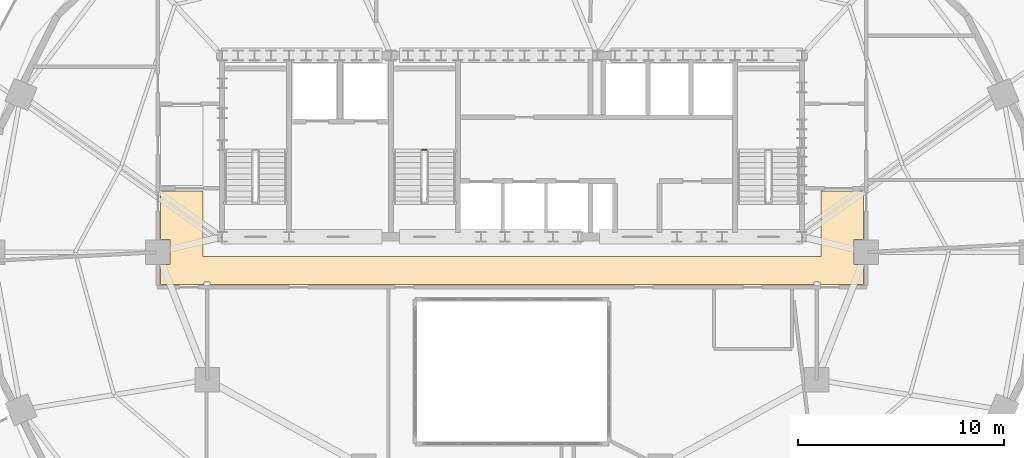
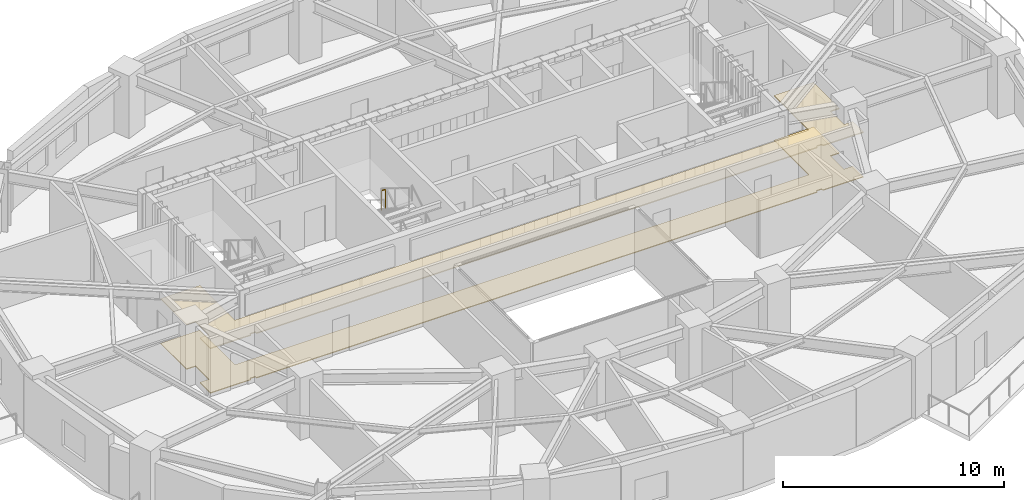
# One storey, part 10 of 11: 2 coverings, 1 railing.
"""IFC4 building model written with IfcOpenShell, lengths in metres."""

from ifc_helpers import new_model, si_unit, direction, frame, origin, origin_2d, place, context, subcontext, project, spatial, polyline, rectangle, outline, extrude, material, layer, layer_set, type_object, element, save


model = new_model("IFC4")

# Units and contexts
model_context = context("Model", 3, precision=1e-05, world=origin(), true_north=direction((0.0, 1.0)))
body_context = subcontext(model_context, "Body", "Model", "MODEL_VIEW")
ifc_project = project(units=[si_unit("LENGTHUNIT", "METRE"), si_unit("AREAUNIT", "SQUARE_METRE"), si_unit("VOLUMEUNIT", "CUBIC_METRE"), si_unit("PLANEANGLEUNIT", "RADIAN"), si_unit("MASSUNIT", "GRAM", prefix="KILO")], contexts=[model_context])

# Site, building, storey
site_placement = place(None, origin())
site = spatial("IfcSite", under=ifc_project, at=site_placement, CompositionType="ELEMENT")
building_placement = place(site_placement, origin())
building = spatial("IfcBuilding", under=site, at=building_placement, Name="Haldorwick Loom Tower", CompositionType="ELEMENT")
storey_placement = place(building_placement, frame((0.0, 0.0, 164.800048828125)))
storey = spatial("IfcBuildingStorey", under=building, at=storey_placement, Name="L44", CompositionType="ELEMENT", Elevation=164.800048828125)

# Coverings
ifc_material_1 = material(Name="Mineral Fibre Acoustic Ceiling Tile")
ifc_layer_1 = layer(ifc_material_1, 0.054931640625, Name="Mineral Fibre Acoustic Ceiling Tile")
ifc_layer_set_1 = layer_set([ifc_layer_1], Name="Mineral Fibre Acoustic Ceiling Tile")
covering_type_1 = type_object("IfcCoveringType", Name="ARC-COV-CEIL2", PredefinedType="CEILING", material=ifc_layer_set_1)
covering_1_placement = place(storey_placement, frame((0.0, 0.0, 2.4580078125)))
element("IfcCovering", 1, at=covering_1_placement, inside=storey, type_object=covering_type_1, Name="L44 Acoustic Suspended Ceiling 1", PredefinedType="CEILING", context=body_context, shape_type="SweptSolid", body=[
    extrude(outline(polyline([(51.0, 28.9599609375), (51.0, 25.800048828125), (21.0, 25.800048828125), (21.0, 28.9599609375), (18.93994140625, 28.9599609375), (18.93994140625, 26.60791015625), (19.407958984375, 26.60791015625), (19.407958984375, 25.39208984375), (18.93994140625, 25.39208984375), (18.93994140625, 24.43994140625), (21.06005859375, 24.43994140625), (21.06005859375, 24.52001953125), (21.06005859375, 24.52197265625), (21.060302734375, 24.52392578125), (21.060791015625, 24.52587890625), (21.0615234375, 24.527587890625), (21.0625, 24.529296875), (21.0634765625, 24.531005859375), (21.064453125, 24.53271484375), (21.06591796875, 24.5341796875), (21.0673828125, 24.535400390625), (21.06884765625, 24.53662109375), (21.070556640625, 24.53759765625), (21.072265625, 24.53857421875), (21.07421875, 24.5390625), (21.076171875, 24.53955078125), (21.077880859375, 24.539794921875), (21.080078125, 24.5400390625), (21.320068359375, 24.5400390625), (21.322021484375, 24.539794921875), (21.323974609375, 24.53955078125), (21.32568359375, 24.5390625), (21.32763671875, 24.53857421875), (21.329345703125, 24.53759765625), (21.3310546875, 24.53662109375), (21.332763671875, 24.535400390625), (21.333984375, 24.5341796875), (21.33544921875, 24.53271484375), (21.336669921875, 24.531005859375), (21.337646484375, 24.529296875), (21.33837890625, 24.527587890625), (21.339111328125, 24.52587890625), (21.339599609375, 24.52392578125), (21.33984375, 24.52197265625), (21.340087890625, 24.52001953125), (21.340087890625, 24.43994140625), (50.659912109375, 24.43994140625), (50.659912109375, 24.52001953125), (50.66015625, 24.52197265625), (50.660400390625, 24.52392578125), (50.660888671875, 24.52587890625), (50.66162109375, 24.527587890625), (50.662353515625, 24.529296875), (50.663330078125, 24.531005859375), (50.66455078125, 24.53271484375), (50.666015625, 24.5341796875), (50.667236328125, 24.535400390625), (50.6689453125, 24.53662109375), (50.670654296875, 24.53759765625), (50.67236328125, 24.53857421875), (50.67431640625, 24.5390625), (50.676025390625, 24.53955078125), (50.677978515625, 24.539794921875), (50.679931640625, 24.5400390625), (50.919921875, 24.5400390625), (50.922119140625, 24.539794921875), (50.923828125, 24.53955078125), (50.92578125, 24.5390625), (50.927734375, 24.53857421875), (50.929443359375, 24.53759765625), (50.93115234375, 24.53662109375), (50.9326171875, 24.535400390625), (50.93408203125, 24.5341796875), (50.935546875, 24.53271484375), (50.9365234375, 24.531005859375), (50.9375, 24.529296875), (50.9384765625, 24.527587890625), (50.939208984375, 24.52587890625), (50.939697265625, 24.52392578125), (50.93994140625, 24.52197265625), (50.93994140625, 24.52001953125), (50.93994140625, 24.43994140625), (53.06005859375, 24.43994140625), (53.06005859375, 25.39208984375), (52.592041015625, 25.39208984375), (52.592041015625, 26.60791015625), (53.06005859375, 26.60791015625), (53.06005859375, 28.9599609375), (51.0, 28.9599609375)])), origin(), (0.0, 0.0, 1.0), 0.054931640625),
])
ifc_material_2 = material(Name="Polished Aggregate Terrazzo Finish")
ifc_layer_2 = layer(ifc_material_2, 0.044921875, Name="Polished Aggregate Terrazzo Finish")
ifc_layer_set_2 = layer_set([ifc_layer_2], Name="Polished Aggregate Terrazzo Finish")
covering_type_2 = type_object("IfcCoveringType", Name="ARC-COV-FLOOR2", PredefinedType="FLOORING", material=ifc_layer_set_2)
covering_2_placement = place(storey_placement, origin())
element("IfcCovering", 2, at=covering_2_placement, inside=storey, type_object=covering_type_2, Name="L44 Floor Finish 1", PredefinedType="FLOORING", context=body_context, shape_type="SweptSolid", body=[
    extrude(outline(polyline([(51.0, 28.9599609375), (51.0, 25.800048828125), (21.0, 25.800048828125), (21.0, 28.9599609375), (18.93994140625, 28.9599609375), (18.93994140625, 26.60791015625), (19.407958984375, 26.60791015625), (19.407958984375, 25.39208984375), (18.93994140625, 25.39208984375), (18.93994140625, 24.43994140625), (21.06005859375, 24.43994140625), (21.06005859375, 24.52001953125), (21.06005859375, 24.52197265625), (21.060302734375, 24.52392578125), (21.060791015625, 24.52587890625), (21.0615234375, 24.527587890625), (21.0625, 24.529296875), (21.0634765625, 24.531005859375), (21.064453125, 24.53271484375), (21.06591796875, 24.5341796875), (21.0673828125, 24.535400390625), (21.06884765625, 24.53662109375), (21.070556640625, 24.53759765625), (21.072265625, 24.53857421875), (21.07421875, 24.5390625), (21.076171875, 24.53955078125), (21.077880859375, 24.539794921875), (21.080078125, 24.5400390625), (21.320068359375, 24.5400390625), (21.322021484375, 24.539794921875), (21.323974609375, 24.53955078125), (21.32568359375, 24.5390625), (21.32763671875, 24.53857421875), (21.329345703125, 24.53759765625), (21.3310546875, 24.53662109375), (21.332763671875, 24.535400390625), (21.333984375, 24.5341796875), (21.33544921875, 24.53271484375), (21.336669921875, 24.531005859375), (21.337646484375, 24.529296875), (21.33837890625, 24.527587890625), (21.339111328125, 24.52587890625), (21.339599609375, 24.52392578125), (21.33984375, 24.52197265625), (21.340087890625, 24.52001953125), (21.340087890625, 24.43994140625), (50.659912109375, 24.43994140625), (50.659912109375, 24.52001953125), (50.66015625, 24.52197265625), (50.660400390625, 24.52392578125), (50.660888671875, 24.52587890625), (50.66162109375, 24.527587890625), (50.662353515625, 24.529296875), (50.663330078125, 24.531005859375), (50.66455078125, 24.53271484375), (50.666015625, 24.5341796875), (50.667236328125, 24.535400390625), (50.6689453125, 24.53662109375), (50.670654296875, 24.53759765625), (50.67236328125, 24.53857421875), (50.67431640625, 24.5390625), (50.676025390625, 24.53955078125), (50.677978515625, 24.539794921875), (50.679931640625, 24.5400390625), (50.919921875, 24.5400390625), (50.922119140625, 24.539794921875), (50.923828125, 24.53955078125), (50.92578125, 24.5390625), (50.927734375, 24.53857421875), (50.929443359375, 24.53759765625), (50.93115234375, 24.53662109375), (50.9326171875, 24.535400390625), (50.93408203125, 24.5341796875), (50.935546875, 24.53271484375), (50.9365234375, 24.531005859375), (50.9375, 24.529296875), (50.9384765625, 24.527587890625), (50.939208984375, 24.52587890625), (50.939697265625, 24.52392578125), (50.93994140625, 24.52197265625), (50.93994140625, 24.52001953125), (50.93994140625, 24.43994140625), (53.06005859375, 24.43994140625), (53.06005859375, 25.39208984375), (52.592041015625, 25.39208984375), (52.592041015625, 26.60791015625), (53.06005859375, 26.60791015625), (53.06005859375, 28.9599609375), (51.0, 28.9599609375)])), origin(), (0.0, 0.0, 1.0), 0.044921875),
])

# Railing
ifc_material_3 = material(Name="Steel CSA G40.21 350W", Category="steel")
railing_type = type_object("IfcRailingType", Name="ARC-RLG-GUARD112", PredefinedType="GUARDRAIL", material=ifc_material_3)
railing_placement = place(storey_placement, frame((31.85009765625, 30.969970703125, 1.724853515625)))
element("IfcRailing", 3, at=railing_placement, inside=storey, type_object=railing_type, Name="L44 ST-03 stair guard 2", PredefinedType="GUARDRAIL", context=body_context, shape_type="SweptSolid", body=[
    extrude(rectangle(XDim=0.048095703125, YDim=0.048095703125, at=origin_2d()), frame((0.0, 0.0, 1.076171875), z_axis=(-1.0, 0.0, 0.0), x_axis=(0.0, -1.0, 0.0)), (0.0, 0.0, 1.0), 0.2001953125),
    extrude(rectangle(XDim=0.0419921875, YDim=0.0419921875, at=origin_2d()), origin(), (0.0, 0.0, 1.0), 1.052001953125),
    extrude(rectangle(XDim=0.0419921875, YDim=0.0419921875, at=origin_2d()), frame((-0.2001953125, 0.0, 0.0)), (0.0, 0.0, 1.0), 1.052001953125),
])

save(model, "model.ifc")
